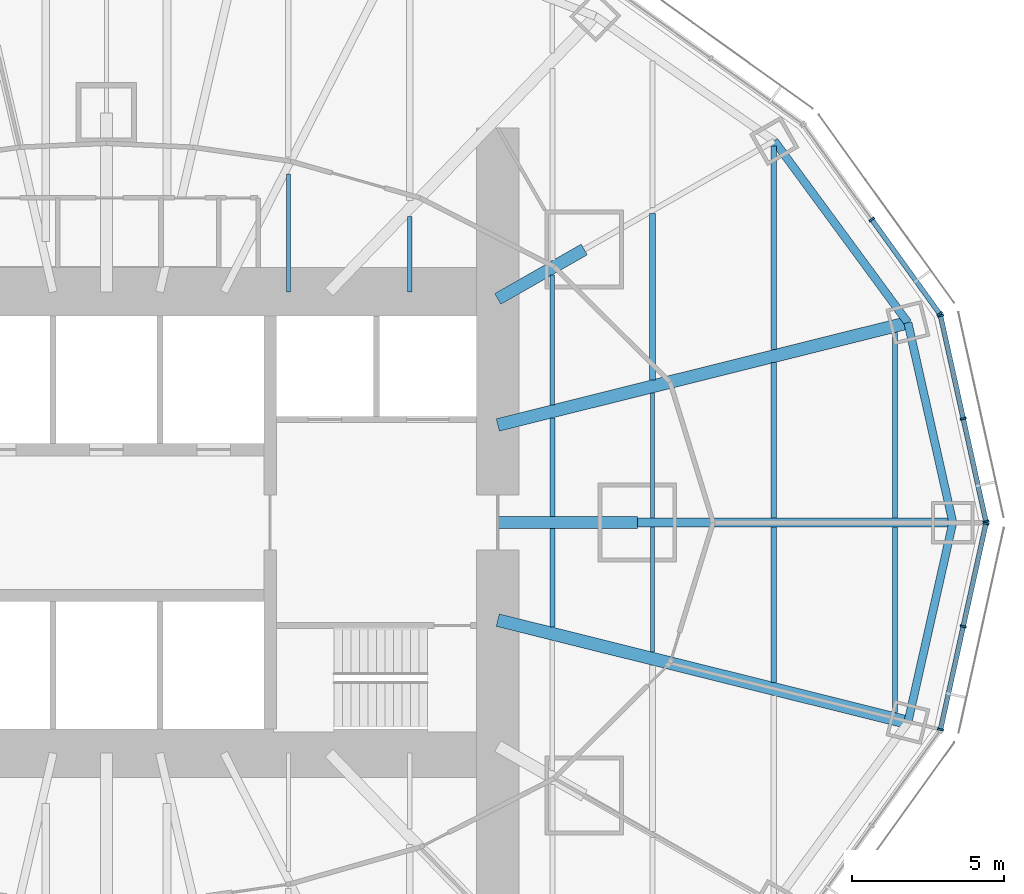
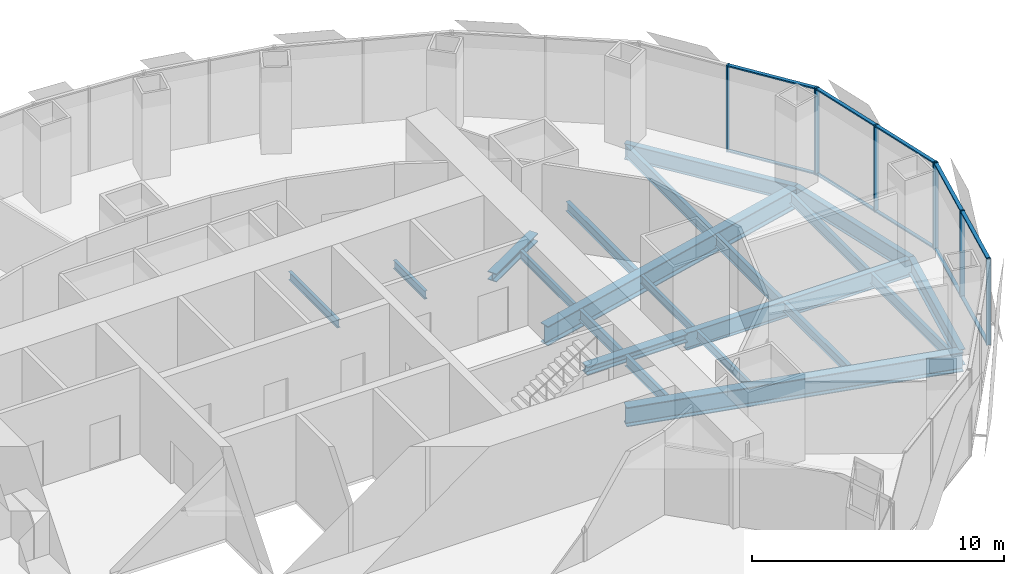
# One storey, part 6 of 18: 21 beams, 18 members, 3 elements without a shape of their own.
"""IFC4 building model written with IfcOpenShell, lengths in metres."""

import ifcopenshell
import ifcopenshell.guid

model = None  # the IFC model being written
_history = None  # IfcOwnerHistory: only IFC2X3 demands one
_inside = {}  # id of a spatial element -> (the spatial element, [elements in it])
_under = {}  # id of a project, library or spatial element -> (it, [spatial elements below it])
_declared = {}  # id of a project -> (the project, [libraries it declares])
_typed = {}  # id of a type object -> (the type object, [elements of that type])
_made_of = {}  # id of a material, layer set ... -> (it, [elements and type objects made of it])


def new_model(schema):
    """Start an empty IFC model of exactly this schema.

    Asked for "IFC4X3", IfcOpenShell would pick the latest addendum, in which some entities
    have other attributes; the version numbers below select the first issue.
    IFC2X3 requires an IfcOwnerHistory on every rooted entity: one is made here for all.
    """
    global model, _history
    if schema == "IFC4X3":
        model = ifcopenshell.file(schema_version=(4, 3, 0, 0))
    else:
        model = ifcopenshell.file(schema=schema)
    _inside.clear()
    _under.clear()
    _declared.clear()
    _typed.clear()
    _made_of.clear()
    _history = None
    if model.schema == "IFC2X3":
        org = make("IfcOrganization", Name="unknown")
        user = make(
            "IfcPersonAndOrganization",
            ThePerson=make("IfcPerson", FamilyName="unknown"),
            TheOrganization=org,
        )
        app = make(
            "IfcApplication",
            ApplicationDeveloper=org,
            Version="unknown",
            ApplicationFullName="unknown",
            ApplicationIdentifier="unknown",
        )
        _history = make(
            "IfcOwnerHistory",
            OwningUser=user,
            OwningApplication=app,
            ChangeAction="ADDED",
            CreationDate=0,
        )
    return model


def make(cls, **values):
    """One entity of the class cls with the attributes given. An attribute that is None is left unset."""
    return model.create_entity(
        cls, **{name: value for name, value in values.items() if value is not None}
    )


def rooted(cls, **values):
    """An entity with a GlobalId (a new one), such as an element, a storey or a relation."""
    return make(cls, GlobalId=ifcopenshell.guid.new(), OwnerHistory=_history, **values)


def si_unit(unit_type, name, prefix=None):
    """IfcSIUnit, for example si_unit("LENGTHUNIT", "METRE", prefix="MILLI")."""
    return make("IfcSIUnit", UnitType=unit_type, Prefix=prefix, Name=name)


def assignment(units):
    """IfcUnitAssignment: the units of a project."""
    return None if units is None else make("IfcUnitAssignment", Units=units)


def point(xyz):
    """IfcCartesianPoint."""
    return None if xyz is None else make("IfcCartesianPoint", Coordinates=xyz)


def direction(xyz):
    """IfcDirection."""
    return None if xyz is None else make("IfcDirection", DirectionRatios=xyz)


def frame(location, z_axis=None, x_axis=None):
    """IfcAxis2Placement3D, a coordinate frame: its origin and axes. An axis left out is left unset."""
    return make(
        "IfcAxis2Placement3D",
        Location=point(location),
        Axis=direction(z_axis),
        RefDirection=direction(x_axis),
    )


def frame_2d(location, x_axis=None):
    """IfcAxis2Placement2D, a coordinate frame in the plane: its origin and x axis."""
    return make(
        "IfcAxis2Placement2D", Location=point(location), RefDirection=direction(x_axis)
    )


def origin():
    """The frame at (0, 0, 0) with its axes left unset."""
    return frame((0.0, 0.0, 0.0))


def origin_2d():
    """The frame at (0, 0) in the plane with its x axis left unset."""
    return frame_2d((0.0, 0.0))


def place(relative_to, where):
    """IfcLocalPlacement: puts the frame where relative to a parent placement (None: the world)."""
    return make(
        "IfcLocalPlacement", PlacementRelTo=relative_to, RelativePlacement=where
    )


def context(
    kind, dimensions, precision=None, world=None, true_north=None, identifier=None
):
    """IfcGeometricRepresentationContext, for example the 3D "Model" context."""
    return make(
        "IfcGeometricRepresentationContext",
        ContextIdentifier=identifier,
        ContextType=kind,
        CoordinateSpaceDimension=dimensions,
        Precision=precision,
        WorldCoordinateSystem=world,
        TrueNorth=true_north,
    )


def subcontext(parent, identifier, kind, view, scale=None):
    """IfcGeometricRepresentationSubContext, for example "Body" below "Model"."""
    return make(
        "IfcGeometricRepresentationSubContext",
        ContextIdentifier=identifier,
        ContextType=kind,
        ParentContext=parent,
        TargetScale=scale,
        TargetView=view,
    )


def project(units=None, contexts=None):
    """IfcProject with its units and contexts."""
    return rooted(
        "IfcProject",
        Name="project",
        RepresentationContexts=contexts,
        UnitsInContext=assignment(units),
    )


def spatial(cls, under=None, at=None, **own):
    """A site, building, storey or space (cls), placed at a placement, below another one or the project."""
    s = rooted(cls, ObjectPlacement=at, **own)
    if under is not None:
        _under.setdefault(under.id(), (under, []))[1].append(s)
    return s


def profile(cls, at=None, kind="AREA", **sizes):
    """A parametric profile (cls). Its sizes go by their IFC names, for example OverallWidth=200.0."""
    return make(cls, ProfileType=kind, Position=at, **sizes)


def rectangle(**sizes):
    """IfcRectangleProfileDef."""
    return profile("IfcRectangleProfileDef", **sizes)


def i_section(**sizes):
    """IfcIShapeProfileDef."""
    return profile("IfcIShapeProfileDef", **sizes)


def extrude(swept, where, along, depth):
    """IfcExtrudedAreaSolid: the profile swept, set in the frame where, extruded along a direction by depth."""
    return make(
        "IfcExtrudedAreaSolid",
        SweptArea=swept,
        Position=where,
        ExtrudedDirection=direction(along),
        Depth=depth,
    )


def shape(context_of_items, identifier, shape_type, items):
    """IfcShapeRepresentation: the items that make up one representation, for example the "Body"."""
    return make(
        "IfcShapeRepresentation",
        ContextOfItems=context_of_items,
        RepresentationIdentifier=identifier,
        RepresentationType=shape_type,
        Items=items,
    )


def material(Name=None, Category=None):
    """IfcMaterial."""
    return make("IfcMaterial", Name=Name, Category=Category)


def material_profile(
    of_material, cross_section, Name=None, Category=None, Priority=None
):
    """IfcMaterialProfile: a cross section and its material."""
    return make(
        "IfcMaterialProfile",
        Name=Name,
        Material=of_material,
        Profile=cross_section,
        Priority=Priority,
        Category=Category,
    )


def profile_set(profiles, Name=None, composite=None):
    """IfcMaterialProfileSet."""
    return make(
        "IfcMaterialProfileSet",
        Name=Name,
        MaterialProfiles=profiles,
        CompositeProfile=composite,
    )


def made_of(thing, what):
    """Note that an element or type object is made of a material, layer set ...; save() writes the relation."""
    if what is not None:
        _made_of.setdefault(what.id(), (what, []))[1].append(thing)
    return thing


def type_object(cls, material=None, **own):
    """A type object (cls), such as IfcWallType, which elements share."""
    return made_of(rooted(cls, **own), material)


def element(
    cls,
    number,
    at=None,
    inside=None,
    cuts=None,
    type_object=None,
    material=None,
    context=None,
    identifier="Body",
    shape_type=None,
    held_by="IfcProductDefinitionShape",
    body=None,
    shapes=None,
    **own,
):
    """One element of the class cls, such as IfcWall. Its Tag is "e" and its number.

    at: its placement. inside: the storey or other place that contains it. cuts: it is an
    opening in that element (IfcRelVoidsElement). A single representation is given by context,
    identifier, shape_type and body (its items); several are given by shapes. held_by: the class
    of the entity that holds the representations. save() writes the other relations.
    """
    e = rooted(cls, Tag="e%d" % number, ObjectPlacement=at, **own)
    if body is not None:
        shapes = [shape(context, identifier, shape_type, body)]
    if shapes is not None:
        e.Representation = make(held_by, Representations=shapes)
    if inside is not None:
        _inside.setdefault(inside.id(), (inside, []))[1].append(e)
    if cuts is not None:
        rooted(
            "IfcRelVoidsElement", RelatingBuildingElement=cuts, RelatedOpeningElement=e
        )
    if type_object is not None:
        _typed.setdefault(type_object.id(), (type_object, []))[1].append(e)
    return made_of(e, material)


def aggregate(whole, parts):
    """IfcRelAggregates: a whole, such as a stair, and the parts it consists of."""
    return rooted("IfcRelAggregates", RelatingObject=whole, RelatedObjects=parts)


def save(model, path):
    """Write the relations noted so far, then the file.

    IfcRelAggregates (storeys below a building ...), IfcRelContainedInSpatialStructure (elements
    in a storey), IfcRelDefinesByType, IfcRelAssociatesMaterial and IfcRelDeclares: one each for
    every whole, place, type object, material and project.
    """
    for whole, parts in _under.values():
        aggregate(whole, parts)
    for where, things in _inside.values():
        rooted(
            "IfcRelContainedInSpatialStructure",
            RelatedElements=things,
            RelatingStructure=where,
        )
    for kind, things in _typed.values():
        rooted("IfcRelDefinesByType", RelatedObjects=things, RelatingType=kind)
    for what, things in _made_of.values():
        rooted("IfcRelAssociatesMaterial", RelatedObjects=things, RelatingMaterial=what)
    for by, libraries in _declared.values():
        rooted("IfcRelDeclares", RelatingContext=by, RelatedDefinitions=libraries)
    model.write(path)


model = new_model("IFC4")

# Units and contexts
model_context = context("Model", 3, precision=1e-05, world=origin(), true_north=direction((0.0, 1.0)))
body_context = subcontext(model_context, "Body", "Model", "MODEL_VIEW")
ifc_project = project(units=[si_unit("LENGTHUNIT", "METRE"), si_unit("AREAUNIT", "SQUARE_METRE"), si_unit("VOLUMEUNIT", "CUBIC_METRE"), si_unit("PLANEANGLEUNIT", "RADIAN"), si_unit("MASSUNIT", "GRAM", prefix="KILO")], contexts=[model_context])

# Site, building, storey
site_placement = place(None, origin())
site = spatial("IfcSite", under=ifc_project, at=site_placement, CompositionType="ELEMENT")
building_placement = place(site_placement, origin())
building = spatial("IfcBuilding", under=site, at=building_placement, Name="Lantaw Convention Tower", CompositionType="ELEMENT")
storey_placement = place(building_placement, frame((0.0, 0.0, 134.199951171875)))
storey = spatial("IfcBuildingStorey", under=building, at=storey_placement, Name="L31", CompositionType="ELEMENT", Elevation=134.199951171875)

# Beams
ifc_material_1 = material(Name="Steel ASTM A992", Category="steel")
ifc_material_profile_1 = material_profile(ifc_material_1, i_section(OverallWidth=0.2666015625, OverallDepth=0.76953125, WebThickness=0.015625, FlangeThickness=0.025390625, FilletRadius=0.0126953125, at=origin_2d()), Name="W30X132")
ifc_profile_set_1 = profile_set([ifc_material_profile_1], Name="Steel ASTM A992")
beam_type_1 = type_object("IfcBeamType", Name="Beam E W30X132", PredefinedType="SPANDREL", material=ifc_profile_set_1)
beam_1_placement = place(storey_placement, frame((27.89990234375, 0.0, -0.53466796875), z_axis=(-0.219211877447, 0.975677279015, 0.0), x_axis=(-0.975677279015, -0.219211877447, 0.0)))
element("IfcBeam", 1, at=beam_1_placement, inside=storey, type_object=beam_type_1, Name="Edge beam 1", PredefinedType="SPANDREL", context=body_context, shape_type="SweptSolid", body=[
    extrude(i_section(OverallWidth=0.2666015625, OverallDepth=0.76953125, WebThickness=0.015625, FlangeThickness=0.025390625, FilletRadius=0.0126953125, at=origin_2d()), origin(), (0.0, 0.0, 1.0), 6.75146484375),
])
beam_2_placement = place(storey_placement, frame((26.419921875, 6.587158203125, -0.53466796875), z_axis=(-0.5923891972, 0.805651934176, 0.0), x_axis=(-0.805651934176, -0.5923891972, 0.0)))
element("IfcBeam", 2, at=beam_2_placement, inside=storey, type_object=beam_type_1, Name="Edge beam 2", PredefinedType="SPANDREL", context=body_context, shape_type="SweptSolid", body=[
    extrude(i_section(OverallWidth=0.2666015625, OverallDepth=0.76953125, WebThickness=0.015625, FlangeThickness=0.025390625, FilletRadius=0.0126953125, at=origin_2d()), origin(), (0.0, 0.0, 1.0), 7.437744140625),
])
beam_3_placement = place(storey_placement, frame((26.419921875, -6.587158203125, -0.53466796875), z_axis=(0.219211877447, 0.975677279015, 0.0), x_axis=(-0.975677279015, 0.219211877447, 0.0)))
element("IfcBeam", 3, at=beam_3_placement, inside=storey, type_object=beam_type_1, Name="Edge beam 24", PredefinedType="SPANDREL", context=body_context, shape_type="SweptSolid", body=[
    extrude(i_section(OverallWidth=0.2666015625, OverallDepth=0.76953125, WebThickness=0.015625, FlangeThickness=0.025390625, FilletRadius=0.0126953125, at=origin_2d()), origin(), (0.0, 0.0, 1.0), 6.75146484375),
])
ifc_material_profile_2 = material_profile(ifc_material_1, i_section(OverallWidth=0.2919921875, OverallDepth=0.845703125, WebThickness=0.015380859375, FlangeThickness=0.0244140625, FilletRadius=0.01513671875, at=origin_2d()), Name="W33X141")
ifc_profile_set_2 = profile_set([ifc_material_profile_2], Name="Steel ASTM A992")
beam_type_2 = type_object("IfcBeamType", Name="Beam G W33X141", PredefinedType="BEAM", material=ifc_profile_set_2)
beam_4_placement = place(storey_placement, frame((17.5, 0.0, -0.57275390625), z_axis=(1.0, 0.0, 0.0), x_axis=(0.0, 1.0, 0.0)))
element("IfcBeam", 4, at=beam_4_placement, inside=storey, type_object=beam_type_2, Name="Floor girder on ray 1", PredefinedType="BEAM", context=body_context, shape_type="SweptSolid", body=[
    extrude(i_section(OverallWidth=0.2919921875, OverallDepth=0.845703125, WebThickness=0.015380859375, FlangeThickness=0.0244140625, FilletRadius=0.01513671875, at=origin_2d()), origin(), (0.0, 0.0, 1.0), 10.39990234375),
])
ifc_material_profile_3 = material_profile(ifc_material_1, i_section(OverallWidth=0.421630859375, OverallDepth=0.937255859375, WebThickness=0.0224609375, FlangeThickness=0.039794921875, FilletRadius=0.02001953125, at=origin_2d()), Name="W36X282")
ifc_profile_set_3 = profile_set([ifc_material_profile_3], Name="Steel ASTM A992")
beam_type_3 = type_object("IfcBeamType", Name="Beam G W36X282", PredefinedType="BEAM", material=ifc_profile_set_3)
for number, where, z_axis, x_axis, name in (
    (5, (12.89990234375, 3.21630859375, -0.61865234375), (0.970296903132, 0.24191717544, 0.0), (-0.24191717544, 0.970296903132, 0.0), "Floor girder on ray 2"),
    (6, (12.89990234375, -3.21630859375, -0.61865234375), (0.970296903132, -0.24191717544, 0.0), (0.24191717544, 0.970296903132, 0.0), "Floor girder on ray 24"),
):
    element("IfcBeam", number, at=place(storey_placement, frame(where, z_axis=z_axis, x_axis=x_axis)), inside=storey, type_object=beam_type_3, Name=name, PredefinedType="BEAM", context=body_context, shape_type="SweptSolid", body=[
        extrude(i_section(OverallWidth=0.421630859375, OverallDepth=0.937255859375, WebThickness=0.0224609375, FlangeThickness=0.039794921875, FilletRadius=0.02001953125, at=origin_2d()), origin(), (0.0, 0.0, 1.0), 13.933837890625),
    ])
ifc_material_profile_4 = material_profile(ifc_material_1, i_section(OverallWidth=0.40380859375, OverallDepth=0.406494140625, WebThickness=0.027099609375, FlangeThickness=0.043701171875, FilletRadius=0.01513671875, at=origin_2d()), Name="W14X233")
ifc_profile_set_4 = profile_set([ifc_material_profile_4], Name="Steel ASTM A992")
beam_type_4 = type_object("IfcBeamType", Name="Beam GM W14X233", PredefinedType="BEAM", material=ifc_profile_set_4)
beam_5_placement = place(storey_placement, frame((12.89990234375, 0.0, -0.353271484375), z_axis=(1.0, 0.0, 0.0), x_axis=(0.0, 1.0, 0.0)))
element("IfcBeam", 7, at=beam_5_placement, inside=storey, type_object=beam_type_4, Name="Core link beam on ray 1", PredefinedType="BEAM", context=body_context, shape_type="SweptSolid", body=[
    extrude(i_section(OverallWidth=0.40380859375, OverallDepth=0.406494140625, WebThickness=0.027099609375, FlangeThickness=0.043701171875, FilletRadius=0.01513671875, at=origin_2d()), origin(), (0.0, 0.0, 1.0), 4.60009765625),
])
beam_6_placement = place(storey_placement, frame((12.89990234375, 7.371337890625, -0.353271484375), z_axis=(0.868238565244, 0.496146947811, 0.0), x_axis=(-0.496146947811, 0.868238565244, 0.0)))
element("IfcBeam", 8, at=beam_6_placement, inside=storey, type_object=beam_type_4, Name="Core link beam on ray 3", PredefinedType="BEAM", context=body_context, shape_type="SweptSolid", body=[
    extrude(i_section(OverallWidth=0.40380859375, OverallDepth=0.406494140625, WebThickness=0.027099609375, FlangeThickness=0.043701171875, FilletRadius=0.01513671875, at=origin_2d()), origin(), (0.0, 0.0, 1.0), 3.28271484375),
])
ifc_material_profile_5 = material_profile(ifc_material_1, i_section(OverallWidth=0.140380859375, OverallDepth=0.40380859375, WebThickness=0.007080078125, FlangeThickness=0.01123046875, FilletRadius=0.01025390625, at=origin_2d()), Name="W16X31")
ifc_profile_set_5 = profile_set([ifc_material_profile_5], Name="Steel ASTM A992")
beam_type_5 = type_object("IfcBeamType", Name="Beam J W16X31", PredefinedType="JOIST", material=ifc_profile_set_5)
beam_7_placement = place(storey_placement, frame((6.0, 7.60009765625, -0.351806640625), z_axis=(0.0, 1.0, 0.0), x_axis=(-1.0, 0.0, 0.0)))
element("IfcBeam", 9, at=beam_7_placement, inside=storey, type_object=beam_type_5, Name="Floor joist", PredefinedType="JOIST", context=body_context, shape_type="SweptSolid", body=[
    extrude(i_section(OverallWidth=0.140380859375, OverallDepth=0.40380859375, WebThickness=0.007080078125, FlangeThickness=0.01123046875, FilletRadius=0.01025390625, at=origin_2d()), origin(), (0.0, 0.0, 1.0), 3.895751953125),
])
beam_8_placement = place(storey_placement, frame((10.0, 7.60009765625, -0.351806640625), z_axis=(0.0, 1.0, 0.0), x_axis=(-1.0, 0.0, 0.0)))
element("IfcBeam", 10, at=beam_8_placement, inside=storey, type_object=beam_type_5, Name="Floor joist", PredefinedType="JOIST", context=body_context, shape_type="SweptSolid", body=[
    extrude(i_section(OverallWidth=0.140380859375, OverallDepth=0.40380859375, WebThickness=0.007080078125, FlangeThickness=0.01123046875, FilletRadius=0.01025390625, at=origin_2d()), origin(), (0.0, 0.0, 1.0), 2.49560546875),
])
beam_9_placement = place(storey_placement, frame((14.699951171875, 3.88232421875, -0.351806640625), z_axis=(0.0, 1.0, 0.0), x_axis=(-1.0, 0.0, 0.0)))
element("IfcBeam", 11, at=beam_9_placement, inside=storey, type_object=beam_type_5, Name="Floor joist", PredefinedType="JOIST", context=body_context, shape_type="SweptSolid", body=[
    extrude(i_section(OverallWidth=0.140380859375, OverallDepth=0.40380859375, WebThickness=0.007080078125, FlangeThickness=0.01123046875, FilletRadius=0.01025390625, at=origin_2d()), origin(), (0.0, 0.0, 1.0), 4.28515625),
])
for number, where, z_axis, x_axis, name in (
    (12, (18.0, -4.270751953125, -0.351806640625), (0.0, 1.0, 0.0), (-1.0, 0.0, 0.0), "Floor joist"),
    (13, (18.0, 0.14599609375, -0.351806640625), (0.0, 1.0, 0.0), (-1.0, 0.0, 0.0), "Floor joist"),
):
    element("IfcBeam", number, at=place(storey_placement, frame(where, z_axis=z_axis, x_axis=x_axis)), inside=storey, type_object=beam_type_5, Name=name, PredefinedType="JOIST", context=body_context, shape_type="SweptSolid", body=[
        extrude(i_section(OverallWidth=0.140380859375, OverallDepth=0.40380859375, WebThickness=0.007080078125, FlangeThickness=0.01123046875, FilletRadius=0.01025390625, at=origin_2d()), origin(), (0.0, 0.0, 1.0), 4.124755859375),
    ])
ifc_material_profile_6 = material_profile(ifc_material_1, i_section(OverallWidth=0.1904296875, OverallDepth=0.457275390625, WebThickness=0.009033203125, FlangeThickness=0.014404296875, FilletRadius=0.01025390625, at=origin_2d()), Name="W18X50")
ifc_profile_set_6 = profile_set([ifc_material_profile_6], Name="Steel ASTM A992")
beam_type_6 = type_object("IfcBeamType", Name="Beam J W18X50", PredefinedType="JOIST", material=ifc_profile_set_6)
beam_10_placement = place(storey_placement, frame((18.0, 4.705078125, -0.378662109375), z_axis=(0.0, 1.0, 0.0), x_axis=(-1.0, 0.0, 0.0)))
element("IfcBeam", 14, at=beam_10_placement, inside=storey, type_object=beam_type_6, Name="Floor joist", PredefinedType="JOIST", context=body_context, shape_type="SweptSolid", body=[
    extrude(i_section(OverallWidth=0.1904296875, OverallDepth=0.457275390625, WebThickness=0.009033203125, FlangeThickness=0.014404296875, FilletRadius=0.01025390625, at=origin_2d()), origin(), (0.0, 0.0, 1.0), 5.47802734375),
])
beam_11_placement = place(storey_placement, frame((22.0, -5.267822265625, -0.378662109375), z_axis=(0.0, 1.0, 0.0), x_axis=(-1.0, 0.0, 0.0)))
element("IfcBeam", 15, at=beam_11_placement, inside=storey, type_object=beam_type_6, Name="Floor joist", PredefinedType="JOIST", context=body_context, shape_type="SweptSolid", body=[
    extrude(i_section(OverallWidth=0.1904296875, OverallDepth=0.457275390625, WebThickness=0.009033203125, FlangeThickness=0.014404296875, FilletRadius=0.01025390625, at=origin_2d()), origin(), (0.0, 0.0, 1.0), 5.121826171875),
])
ifc_material_profile_7 = material_profile(ifc_material_1, i_section(OverallWidth=0.1650390625, OverallDepth=0.52587890625, WebThickness=0.0087890625, FlangeThickness=0.011474609375, FilletRadius=0.0126953125, at=origin_2d()), Name="W21X44")
ifc_profile_set_7 = profile_set([ifc_material_profile_7], Name="Steel ASTM A992")
beam_type_7 = type_object("IfcBeamType", Name="Beam J W21X44", PredefinedType="JOIST", material=ifc_profile_set_7)
for number, where, z_axis, x_axis, name in (
    (16, (26.0, -6.26513671875, -0.412841796875), (0.0, 1.0, 0.0), (-1.0, 0.0, 0.0), "Floor joist"),
    (17, (26.0, 0.14599609375, -0.412841796875), (0.0, 1.0, 0.0), (-1.0, 0.0, 0.0), "Floor joist"),
):
    element("IfcBeam", number, at=place(storey_placement, frame(where, z_axis=z_axis, x_axis=x_axis)), inside=storey, type_object=beam_type_7, Name=name, PredefinedType="JOIST", context=body_context, shape_type="SweptSolid", body=[
        extrude(i_section(OverallWidth=0.1650390625, OverallDepth=0.52587890625, WebThickness=0.0087890625, FlangeThickness=0.011474609375, FilletRadius=0.0126953125, at=origin_2d()), origin(), (0.0, 0.0, 1.0), 6.119140625),
    ])
ifc_material_profile_8 = material_profile(ifc_material_1, i_section(OverallWidth=0.165771484375, OverallDepth=0.5283203125, WebThickness=0.009765625, FlangeThickness=0.013671875, FilletRadius=0.012939453125, at=origin_2d()), Name="W21X50")
ifc_profile_set_8 = profile_set([ifc_material_profile_8], Name="Steel ASTM A992")
beam_type_8 = type_object("IfcBeamType", Name="Beam J W21X50", PredefinedType="JOIST", material=ifc_profile_set_8)
for number, where, z_axis, x_axis, name in (
    (18, (14.699951171875, -3.44775390625, -0.4140625), (0.0, 1.0, 0.0), (-1.0, 0.0, 0.0), "Floor joist"),
    (19, (14.699951171875, 0.201904296875, -0.4140625), (0.0, 1.0, 0.0), (-1.0, 0.0, 0.0), "Floor joist"),
):
    element("IfcBeam", number, at=place(storey_placement, frame(where, z_axis=z_axis, x_axis=x_axis)), inside=storey, type_object=beam_type_8, Name=name, PredefinedType="JOIST", context=body_context, shape_type="SweptSolid", body=[
        extrude(i_section(OverallWidth=0.165771484375, OverallDepth=0.5283203125, WebThickness=0.009765625, FlangeThickness=0.013671875, FilletRadius=0.012939453125, at=origin_2d()), origin(), (0.0, 0.0, 1.0), 3.245849609375),
    ])
ifc_material_profile_9 = material_profile(ifc_material_1, i_section(OverallWidth=0.177978515625, OverallDepth=0.599365234375, WebThickness=0.010009765625, FlangeThickness=0.012939453125, FilletRadius=0.012939453125, at=origin_2d()), Name="W24X55")
ifc_profile_set_9 = profile_set([ifc_material_profile_9], Name="Steel ASTM A992")
beam_type_9 = type_object("IfcBeamType", Name="Beam J W24X55", PredefinedType="JOIST", material=ifc_profile_set_9)
beam_12_placement = place(storey_placement, frame((22.0, 0.14599609375, -0.44970703125), z_axis=(0.0, 1.0, 0.0), x_axis=(-1.0, 0.0, 0.0)))
element("IfcBeam", 20, at=beam_12_placement, inside=storey, type_object=beam_type_9, Name="Floor joist", PredefinedType="JOIST", context=body_context, shape_type="SweptSolid", body=[
    extrude(i_section(OverallWidth=0.177978515625, OverallDepth=0.599365234375, WebThickness=0.010009765625, FlangeThickness=0.012939453125, FilletRadius=0.012939453125, at=origin_2d()), origin(), (0.0, 0.0, 1.0), 5.121826171875),
])
beam_13_placement = place(storey_placement, frame((22.0, 5.702392578125, -0.44970703125), z_axis=(0.0, 1.0, 0.0), x_axis=(-1.0, 0.0, 0.0)))
element("IfcBeam", 21, at=beam_13_placement, inside=storey, type_object=beam_type_9, Name="Floor joist", PredefinedType="JOIST", context=body_context, shape_type="SweptSolid", body=[
    extrude(i_section(OverallWidth=0.177978515625, OverallDepth=0.599365234375, WebThickness=0.010009765625, FlangeThickness=0.012939453125, FilletRadius=0.012939453125, at=origin_2d()), origin(), (0.0, 0.0, 1.0), 6.70654296875),
])

# Curtain wall, members
ifc_material_2 = material(Name="Aluminium framed curtain wall", Category="aluminium")
curtain_wall_type = type_object("IfcCurtainWallType", Name="Office curtain wall low rise, pale aluminium", PredefinedType="USERDEFINED", material=ifc_material_2)
curtain_wall_1_placement = place(storey_placement, origin())
curtain_wall_1 = element("IfcCurtainWall", 22, at=curtain_wall_1_placement, inside=storey, type_object=curtain_wall_type, Name="Office curtain wall low rise, pale aluminium L31", ObjectType="UNITISED CURTAIN WALL", PredefinedType="USERDEFINED")
ifc_material_3 = material(Name="Aluminium 6063-T6", Category="aluminium")
ifc_material_profile_10 = material_profile(ifc_material_3, rectangle(XDim=0.199951171875, YDim=0.06494140625, at=origin_2d()), Name="CW-O1 mullion 65x200")
ifc_profile_set_10 = profile_set([ifc_material_profile_10], Name="Aluminium 6063-T6")
member_type_1 = type_object("IfcMemberType", Name="CW-O1 mullion 65x200", PredefinedType="MULLION", material=ifc_profile_set_10)
member_1_placement = place(storey_placement, frame((28.992919921875, 0.03173828125, -0.14990234375), z_axis=(0.0, 0.0, 1.0), x_axis=(-0.9764936509, -0.215546166174, 0.0)))
member_1 = element("IfcMember", 23, at=member_1_placement, type_object=member_type_1, Name="CW-O1 mullion 1", PredefinedType="MULLION", context=body_context, shape_type="SweptSolid", body=[
    extrude(rectangle(XDim=0.199951171875, YDim=0.06494140625, at=origin_2d()), origin(), (0.0, 0.0, 1.0), 4.199951171875),
])
member_2_placement = place(storey_placement, frame((28.24365234375, 3.4267578125, -0.14990234375), z_axis=(0.0, 0.0, 1.0), x_axis=(-0.9764936509, -0.215546166174, 0.0)))
member_2 = element("IfcMember", 24, at=member_2_placement, type_object=member_type_1, Name="CW-O1 mullion 2", PredefinedType="MULLION", context=body_context, shape_type="SweptSolid", body=[
    extrude(rectangle(XDim=0.199951171875, YDim=0.06494140625, at=origin_2d()), origin(), (0.0, 0.0, 1.0), 4.199951171875),
])
member_3_placement = place(storey_placement, frame((27.494140625, 6.821533203125, -0.14990234375), z_axis=(0.0, 0.0, 1.0), x_axis=(-0.9764936509, -0.215546166174, 0.0)))
member_3 = element("IfcMember", 25, at=member_3_placement, type_object=member_type_1, Name="CW-O1 mullion 3", PredefinedType="MULLION", context=body_context, shape_type="SweptSolid", body=[
    extrude(rectangle(XDim=0.199951171875, YDim=0.06494140625, at=origin_2d()), origin(), (0.0, 0.0, 1.0), 4.199951171875),
])

curtain_wall_2_placement = place(storey_placement, origin())
curtain_wall_2 = element("IfcCurtainWall", 26, at=curtain_wall_2_placement, inside=storey, type_object=curtain_wall_type, Name="Office curtain wall low rise, pale aluminium L31", ObjectType="UNITISED CURTAIN WALL", PredefinedType="USERDEFINED")
member_4_placement = place(storey_placement, frame((27.46826171875, 6.879638671875, -0.14990234375), z_axis=(0.0, 0.0, 1.0), x_axis=(-0.811384633629, -0.584512597221, 0.0)))
member_4 = element("IfcMember", 27, at=member_4_placement, type_object=member_type_1, Name="CW-O1 mullion 1", PredefinedType="MULLION", context=body_context, shape_type="SweptSolid", body=[
    extrude(rectangle(XDim=0.199951171875, YDim=0.06494140625, at=origin_2d()), origin(), (0.0, 0.0, 1.0), 4.199951171875),
])
member_5_placement = place(storey_placement, frame((25.22802734375, 9.9892578125, -0.14990234375), z_axis=(0.0, 0.0, 1.0), x_axis=(-0.811384633629, -0.584512597221, 0.0)))
member_5 = element("IfcMember", 28, at=member_5_placement, type_object=member_type_1, Name="CW-O1 mullion 2", PredefinedType="MULLION", context=body_context, shape_type="SweptSolid", body=[
    extrude(rectangle(XDim=0.199951171875, YDim=0.06494140625, at=origin_2d()), origin(), (0.0, 0.0, 1.0), 4.199951171875),
])

curtain_wall_3_placement = place(storey_placement, origin())
curtain_wall_3 = element("IfcCurtainWall", 29, at=curtain_wall_3_placement, inside=storey, type_object=curtain_wall_type, Name="Office curtain wall low rise, pale aluminium L31", ObjectType="UNITISED CURTAIN WALL", PredefinedType="USERDEFINED")
member_6_placement = place(storey_placement, frame((27.494140625, -6.821533203125, -0.14990234375), z_axis=(0.0, 0.0, 1.0), x_axis=(-0.9764936509, 0.215546166174, 0.0)))
member_6 = element("IfcMember", 30, at=member_6_placement, type_object=member_type_1, Name="CW-O1 mullion 1", PredefinedType="MULLION", context=body_context, shape_type="SweptSolid", body=[
    extrude(rectangle(XDim=0.199951171875, YDim=0.06494140625, at=origin_2d()), origin(), (0.0, 0.0, 1.0), 4.199951171875),
])
member_7_placement = place(storey_placement, frame((28.24365234375, -3.4267578125, -0.14990234375), z_axis=(0.0, 0.0, 1.0), x_axis=(-0.9764936509, 0.215546166174, 0.0)))
member_7 = element("IfcMember", 31, at=member_7_placement, type_object=member_type_1, Name="CW-O1 mullion 2", PredefinedType="MULLION", context=body_context, shape_type="SweptSolid", body=[
    extrude(rectangle(XDim=0.199951171875, YDim=0.06494140625, at=origin_2d()), origin(), (0.0, 0.0, 1.0), 4.199951171875),
])
member_8_placement = place(storey_placement, frame((28.992919921875, -0.03173828125, -0.14990234375), z_axis=(0.0, 0.0, 1.0), x_axis=(-0.9764936509, 0.215546166174, 0.0)))
member_8 = element("IfcMember", 32, at=member_8_placement, type_object=member_type_1, Name="CW-O1 mullion 3", PredefinedType="MULLION", context=body_context, shape_type="SweptSolid", body=[
    extrude(rectangle(XDim=0.199951171875, YDim=0.06494140625, at=origin_2d()), origin(), (0.0, 0.0, 1.0), 4.199951171875),
])

# Member
ifc_material_profile_11 = material_profile(ifc_material_3, rectangle(XDim=0.159912109375, YDim=0.06494140625, at=origin_2d()), Name="CW-O1 transom 65x160")
ifc_profile_set_11 = profile_set([ifc_material_profile_11], Name="Aluminium 6063-T6")
member_type_2 = type_object("IfcMemberType", Name="CW-O1 transom 65x160", PredefinedType="USERDEFINED", material=ifc_profile_set_11)
member_9_placement = place(storey_placement, frame((28.986083984375, 0.0634765625, -0.117431640625), z_axis=(-0.215536096386, 0.976495873598, 0.0), x_axis=(-0.976495873598, -0.215536096386, 0.0)))
member_9 = element("IfcMember", 33, at=member_9_placement, type_object=member_type_2, Name="CW-O1 transom 1.1", ObjectType="TRANSOM", PredefinedType="USERDEFINED", context=body_context, shape_type="SweptSolid", body=[
    extrude(rectangle(XDim=0.159912109375, YDim=0.06494140625, at=origin_2d()), origin(), (0.0, 0.0, 1.0), 3.41162109375),
])

member_10_placement = place(storey_placement, frame((28.986083984375, 0.0634765625, 4.017578125), z_axis=(-0.215536096386, 0.976495873598, 0.0), x_axis=(-0.976495873598, -0.215536096386, 0.0)))
member_10 = element("IfcMember", 34, at=member_10_placement, type_object=member_type_2, Name="CW-O1 transom 1.2", ObjectType="TRANSOM", PredefinedType="USERDEFINED", context=body_context, shape_type="SweptSolid", body=[
    extrude(rectangle(XDim=0.159912109375, YDim=0.06494140625, at=origin_2d()), origin(), (0.0, 0.0, 1.0), 3.41162109375),
])

member_11_placement = place(storey_placement, frame((28.236572265625, 3.45849609375, -0.117431640625), z_axis=(-0.21555115847, 0.976492548913, 0.0), x_axis=(-0.976492548913, -0.21555115847, 0.0)))
member_11 = element("IfcMember", 35, at=member_11_placement, type_object=member_type_2, Name="CW-O1 transom 2.1", ObjectType="TRANSOM", PredefinedType="USERDEFINED", context=body_context, shape_type="SweptSolid", body=[
    extrude(rectangle(XDim=0.159912109375, YDim=0.06494140625, at=origin_2d()), origin(), (0.0, 0.0, 1.0), 3.411376953125),
])

member_12_placement = place(storey_placement, frame((28.236572265625, 3.45849609375, 4.017578125), z_axis=(-0.21555115847, 0.976492548913, 0.0), x_axis=(-0.976492548913, -0.21555115847, 0.0)))
member_12 = element("IfcMember", 36, at=member_12_placement, type_object=member_type_2, Name="CW-O1 transom 2.2", ObjectType="TRANSOM", PredefinedType="USERDEFINED", context=body_context, shape_type="SweptSolid", body=[
    extrude(rectangle(XDim=0.159912109375, YDim=0.06494140625, at=origin_2d()), origin(), (0.0, 0.0, 1.0), 3.411376953125),
])

aggregate(curtain_wall_1, [member_1, member_2, member_3, member_9, member_10, member_11, member_12])

member_13_placement = place(storey_placement, frame((27.44921875, 6.906005859375, -0.117431640625), z_axis=(-0.584512973979, 0.811384362217, 0.0), x_axis=(-0.811384362217, -0.584512973979, 0.0)))
member_13 = element("IfcMember", 37, at=member_13_placement, type_object=member_type_2, Name="CW-O1 transom 1.1", ObjectType="TRANSOM", PredefinedType="USERDEFINED", context=body_context, shape_type="SweptSolid", body=[
    extrude(rectangle(XDim=0.159912109375, YDim=0.06494140625, at=origin_2d()), origin(), (0.0, 0.0, 1.0), 3.767578125),
])

member_14_placement = place(storey_placement, frame((27.44921875, 6.906005859375, 4.017578125), z_axis=(-0.584512973979, 0.811384362217, 0.0), x_axis=(-0.811384362217, -0.584512973979, 0.0)))
member_14 = element("IfcMember", 38, at=member_14_placement, type_object=member_type_2, Name="CW-O1 transom 1.2", ObjectType="TRANSOM", PredefinedType="USERDEFINED", context=body_context, shape_type="SweptSolid", body=[
    extrude(rectangle(XDim=0.159912109375, YDim=0.06494140625, at=origin_2d()), origin(), (0.0, 0.0, 1.0), 3.767578125),
])

aggregate(curtain_wall_2, [member_4, member_5, member_13, member_14])

member_15_placement = place(storey_placement, frame((27.501220703125, -6.789794921875, -0.117431640625), z_axis=(0.21555115847, 0.976492548913, 0.0), x_axis=(-0.976492548913, 0.21555115847, 0.0)))
member_15 = element("IfcMember", 39, at=member_15_placement, type_object=member_type_2, Name="CW-O1 transom 1.1", ObjectType="TRANSOM", PredefinedType="USERDEFINED", context=body_context, shape_type="SweptSolid", body=[
    extrude(rectangle(XDim=0.159912109375, YDim=0.06494140625, at=origin_2d()), origin(), (0.0, 0.0, 1.0), 3.411376953125),
])

member_16_placement = place(storey_placement, frame((27.501220703125, -6.789794921875, 4.017578125), z_axis=(0.21555115847, 0.976492548913, 0.0), x_axis=(-0.976492548913, 0.21555115847, 0.0)))
member_16 = element("IfcMember", 40, at=member_16_placement, type_object=member_type_2, Name="CW-O1 transom 1.2", ObjectType="TRANSOM", PredefinedType="USERDEFINED", context=body_context, shape_type="SweptSolid", body=[
    extrude(rectangle(XDim=0.159912109375, YDim=0.06494140625, at=origin_2d()), origin(), (0.0, 0.0, 1.0), 3.411376953125),
])

member_17_placement = place(storey_placement, frame((28.250732421875, -3.39501953125, -0.117431640625), z_axis=(0.215536096386, 0.976495873598, 0.0), x_axis=(-0.976495873598, 0.215536096386, 0.0)))
member_17 = element("IfcMember", 41, at=member_17_placement, type_object=member_type_2, Name="CW-O1 transom 2.1", ObjectType="TRANSOM", PredefinedType="USERDEFINED", context=body_context, shape_type="SweptSolid", body=[
    extrude(rectangle(XDim=0.159912109375, YDim=0.06494140625, at=origin_2d()), origin(), (0.0, 0.0, 1.0), 3.41162109375),
])

member_18_placement = place(storey_placement, frame((28.250732421875, -3.39501953125, 4.017578125), z_axis=(0.215536096386, 0.976495873598, 0.0), x_axis=(-0.976495873598, 0.215536096386, 0.0)))
member_18 = element("IfcMember", 42, at=member_18_placement, type_object=member_type_2, Name="CW-O1 transom 2.2", ObjectType="TRANSOM", PredefinedType="USERDEFINED", context=body_context, shape_type="SweptSolid", body=[
    extrude(rectangle(XDim=0.159912109375, YDim=0.06494140625, at=origin_2d()), origin(), (0.0, 0.0, 1.0), 3.41162109375),
])

aggregate(curtain_wall_3, [member_6, member_7, member_8, member_15, member_16, member_17, member_18])

save(model, "model.ifc")
